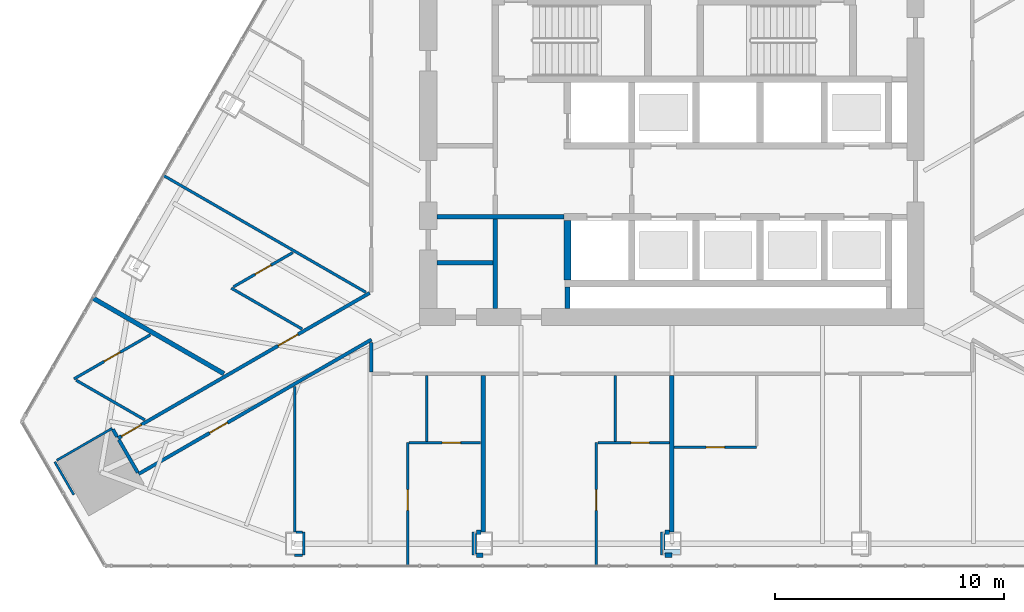
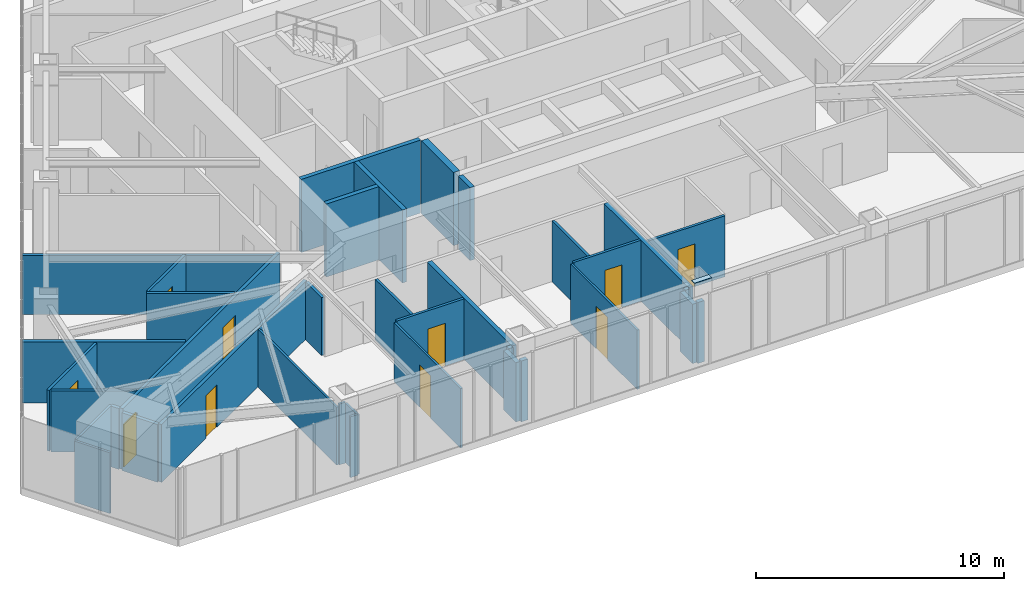
# One storey, part 18 of 24: 37 walls, 10 doors, 1 plate, 10 openings.
"""IFC4 building model written with IfcOpenShell, lengths in metres."""

import ifcopenshell
import ifcopenshell.guid

model = None  # the IFC model being written
_history = None  # IfcOwnerHistory: only IFC2X3 demands one
_inside = {}  # id of a spatial element -> (the spatial element, [elements in it])
_under = {}  # id of a project, library or spatial element -> (it, [spatial elements below it])
_declared = {}  # id of a project -> (the project, [libraries it declares])
_typed = {}  # id of a type object -> (the type object, [elements of that type])
_made_of = {}  # id of a material, layer set ... -> (it, [elements and type objects made of it])


def new_model(schema):
    """Start an empty IFC model of exactly this schema.

    Asked for "IFC4X3", IfcOpenShell would pick the latest addendum, in which some entities
    have other attributes; the version numbers below select the first issue.
    IFC2X3 requires an IfcOwnerHistory on every rooted entity: one is made here for all.
    """
    global model, _history
    if schema == "IFC4X3":
        model = ifcopenshell.file(schema_version=(4, 3, 0, 0))
    else:
        model = ifcopenshell.file(schema=schema)
    _inside.clear()
    _under.clear()
    _declared.clear()
    _typed.clear()
    _made_of.clear()
    _history = None
    if model.schema == "IFC2X3":
        org = make("IfcOrganization", Name="unknown")
        user = make(
            "IfcPersonAndOrganization",
            ThePerson=make("IfcPerson", FamilyName="unknown"),
            TheOrganization=org,
        )
        app = make(
            "IfcApplication",
            ApplicationDeveloper=org,
            Version="unknown",
            ApplicationFullName="unknown",
            ApplicationIdentifier="unknown",
        )
        _history = make(
            "IfcOwnerHistory",
            OwningUser=user,
            OwningApplication=app,
            ChangeAction="ADDED",
            CreationDate=0,
        )
    return model


def make(cls, **values):
    """One entity of the class cls with the attributes given. An attribute that is None is left unset."""
    return model.create_entity(
        cls, **{name: value for name, value in values.items() if value is not None}
    )


def rooted(cls, **values):
    """An entity with a GlobalId (a new one), such as an element, a storey or a relation."""
    return make(cls, GlobalId=ifcopenshell.guid.new(), OwnerHistory=_history, **values)


def si_unit(unit_type, name, prefix=None):
    """IfcSIUnit, for example si_unit("LENGTHUNIT", "METRE", prefix="MILLI")."""
    return make("IfcSIUnit", UnitType=unit_type, Prefix=prefix, Name=name)


def assignment(units):
    """IfcUnitAssignment: the units of a project."""
    return None if units is None else make("IfcUnitAssignment", Units=units)


def point(xyz):
    """IfcCartesianPoint."""
    return None if xyz is None else make("IfcCartesianPoint", Coordinates=xyz)


def direction(xyz):
    """IfcDirection."""
    return None if xyz is None else make("IfcDirection", DirectionRatios=xyz)


def frame(location, z_axis=None, x_axis=None):
    """IfcAxis2Placement3D, a coordinate frame: its origin and axes. An axis left out is left unset."""
    return make(
        "IfcAxis2Placement3D",
        Location=point(location),
        Axis=direction(z_axis),
        RefDirection=direction(x_axis),
    )


def frame_2d(location, x_axis=None):
    """IfcAxis2Placement2D, a coordinate frame in the plane: its origin and x axis."""
    return make(
        "IfcAxis2Placement2D", Location=point(location), RefDirection=direction(x_axis)
    )


def origin():
    """The frame at (0, 0, 0) with its axes left unset."""
    return frame((0.0, 0.0, 0.0))


def place(relative_to, where):
    """IfcLocalPlacement: puts the frame where relative to a parent placement (None: the world)."""
    return make(
        "IfcLocalPlacement", PlacementRelTo=relative_to, RelativePlacement=where
    )


def context(
    kind, dimensions, precision=None, world=None, true_north=None, identifier=None
):
    """IfcGeometricRepresentationContext, for example the 3D "Model" context."""
    return make(
        "IfcGeometricRepresentationContext",
        ContextIdentifier=identifier,
        ContextType=kind,
        CoordinateSpaceDimension=dimensions,
        Precision=precision,
        WorldCoordinateSystem=world,
        TrueNorth=true_north,
    )


def subcontext(parent, identifier, kind, view, scale=None):
    """IfcGeometricRepresentationSubContext, for example "Body" below "Model"."""
    return make(
        "IfcGeometricRepresentationSubContext",
        ContextIdentifier=identifier,
        ContextType=kind,
        ParentContext=parent,
        TargetScale=scale,
        TargetView=view,
    )


def project(units=None, contexts=None):
    """IfcProject with its units and contexts."""
    return rooted(
        "IfcProject",
        Name="project",
        RepresentationContexts=contexts,
        UnitsInContext=assignment(units),
    )


def spatial(cls, under=None, at=None, **own):
    """A site, building, storey or space (cls), placed at a placement, below another one or the project."""
    s = rooted(cls, ObjectPlacement=at, **own)
    if under is not None:
        _under.setdefault(under.id(), (under, []))[1].append(s)
    return s


def polyline(points):
    """IfcPolyline through the points."""
    return make("IfcPolyline", Points=[point(p) for p in points])


def profile(cls, at=None, kind="AREA", **sizes):
    """A parametric profile (cls). Its sizes go by their IFC names, for example OverallWidth=200.0."""
    return make(cls, ProfileType=kind, Position=at, **sizes)


def rectangle(**sizes):
    """IfcRectangleProfileDef."""
    return profile("IfcRectangleProfileDef", **sizes)


def outline(outer, holes=None, kind="AREA"):
    """IfcArbitraryClosedProfileDef: a profile drawn as a closed curve; with holes, ...WithVoids."""
    if holes is None:
        return make("IfcArbitraryClosedProfileDef", ProfileType=kind, OuterCurve=outer)
    return make(
        "IfcArbitraryProfileDefWithVoids",
        ProfileType=kind,
        OuterCurve=outer,
        InnerCurves=holes,
    )


def extrude(swept, where, along, depth):
    """IfcExtrudedAreaSolid: the profile swept, set in the frame where, extruded along a direction by depth."""
    return make(
        "IfcExtrudedAreaSolid",
        SweptArea=swept,
        Position=where,
        ExtrudedDirection=direction(along),
        Depth=depth,
    )


def shape(context_of_items, identifier, shape_type, items):
    """IfcShapeRepresentation: the items that make up one representation, for example the "Body"."""
    return make(
        "IfcShapeRepresentation",
        ContextOfItems=context_of_items,
        RepresentationIdentifier=identifier,
        RepresentationType=shape_type,
        Items=items,
    )


def material(Name=None, Category=None):
    """IfcMaterial."""
    return make("IfcMaterial", Name=Name, Category=Category)


def layer(
    of_material, thickness, ventilated=None, Name=None, Category=None, Priority=None
):
    """IfcMaterialLayer: one layer of a wall or slab, of a material (None: an air gap)."""
    return make(
        "IfcMaterialLayer",
        Material=of_material,
        LayerThickness=thickness,
        IsVentilated=ventilated,
        Name=Name,
        Category=Category,
        Priority=Priority,
    )


def layer_set(layers, Name=None):
    """IfcMaterialLayerSet."""
    return make("IfcMaterialLayerSet", MaterialLayers=layers, LayerSetName=Name)


def made_of(thing, what):
    """Note that an element or type object is made of a material, layer set ...; save() writes the relation."""
    if what is not None:
        _made_of.setdefault(what.id(), (what, []))[1].append(thing)
    return thing


def type_object(cls, material=None, **own):
    """A type object (cls), such as IfcWallType, which elements share."""
    return made_of(rooted(cls, **own), material)


def element(
    cls,
    number,
    at=None,
    inside=None,
    cuts=None,
    type_object=None,
    material=None,
    context=None,
    identifier="Body",
    shape_type=None,
    held_by="IfcProductDefinitionShape",
    body=None,
    shapes=None,
    **own,
):
    """One element of the class cls, such as IfcWall. Its Tag is "e" and its number.

    at: its placement. inside: the storey or other place that contains it. cuts: it is an
    opening in that element (IfcRelVoidsElement). A single representation is given by context,
    identifier, shape_type and body (its items); several are given by shapes. held_by: the class
    of the entity that holds the representations. save() writes the other relations.
    """
    e = rooted(cls, Tag="e%d" % number, ObjectPlacement=at, **own)
    if body is not None:
        shapes = [shape(context, identifier, shape_type, body)]
    if shapes is not None:
        e.Representation = make(held_by, Representations=shapes)
    if inside is not None:
        _inside.setdefault(inside.id(), (inside, []))[1].append(e)
    if cuts is not None:
        rooted(
            "IfcRelVoidsElement", RelatingBuildingElement=cuts, RelatedOpeningElement=e
        )
    if type_object is not None:
        _typed.setdefault(type_object.id(), (type_object, []))[1].append(e)
    return made_of(e, material)


def fill(opening, filler):
    """IfcRelFillsElement: the door or window that sits in an opening."""
    return rooted(
        "IfcRelFillsElement",
        RelatingOpeningElement=opening,
        RelatedBuildingElement=filler,
    )


def aggregate(whole, parts):
    """IfcRelAggregates: a whole, such as a stair, and the parts it consists of."""
    return rooted("IfcRelAggregates", RelatingObject=whole, RelatedObjects=parts)


def save(model, path):
    """Write the relations noted so far, then the file.

    IfcRelAggregates (storeys below a building ...), IfcRelContainedInSpatialStructure (elements
    in a storey), IfcRelDefinesByType, IfcRelAssociatesMaterial and IfcRelDeclares: one each for
    every whole, place, type object, material and project.
    """
    for whole, parts in _under.values():
        aggregate(whole, parts)
    for where, things in _inside.values():
        rooted(
            "IfcRelContainedInSpatialStructure",
            RelatedElements=things,
            RelatingStructure=where,
        )
    for kind, things in _typed.values():
        rooted("IfcRelDefinesByType", RelatedObjects=things, RelatingType=kind)
    for what, things in _made_of.values():
        rooted("IfcRelAssociatesMaterial", RelatedObjects=things, RelatingMaterial=what)
    for by, libraries in _declared.values():
        rooted("IfcRelDeclares", RelatingContext=by, RelatedDefinitions=libraries)
    model.write(path)


model = new_model("IFC4")

# Units and contexts
model_context = context("Model", 3, precision=1e-05, world=origin(), true_north=direction((0.0, 1.0)))
body_context = subcontext(model_context, "Body", "Model", "MODEL_VIEW")
ifc_project = project(units=[si_unit("LENGTHUNIT", "METRE"), si_unit("AREAUNIT", "SQUARE_METRE"), si_unit("VOLUMEUNIT", "CUBIC_METRE"), si_unit("PLANEANGLEUNIT", "RADIAN"), si_unit("MASSUNIT", "GRAM", prefix="KILO")], contexts=[model_context])

# Site, building, storey
site_placement = place(None, origin())
site = spatial("IfcSite", under=ifc_project, at=site_placement, CompositionType="ELEMENT")
building_placement = place(site_placement, origin())
building = spatial("IfcBuilding", under=site, at=building_placement, Name="Firuza Gate Tower and Library", CompositionType="ELEMENT")
storey_placement = place(building_placement, frame((0.0, 0.0, 237.699951171875)))
storey = spatial("IfcBuildingStorey", under=building, at=storey_placement, Name="L56", CompositionType="ELEMENT", Elevation=237.699951171875)

# Plate
ifc_material_1 = material(Name="Steel S355", Category="steel")
ifc_layer_1 = layer(ifc_material_1, 0.030029296875)
ifc_layer_set_1 = layer_set([ifc_layer_1], Name="Column infill plate 30 Steel S355")
plate_type = type_object("IfcPlateType", Name="Column infill plate 30 Steel S355", PredefinedType="SHEET", material=ifc_layer_set_1)
plate_placement = place(storey_placement, frame((0.0, 0.0, 3.900146484375)))
element("IfcPlate", 1, at=plate_placement, inside=storey, type_object=plate_type, Name="Infill plate L56:S3", PredefinedType="SHEET", context=body_context, shape_type="SweptSolid", body=[
    extrude(outline(polyline([(75.39990234375, 56.99609375), (75.39990234375, 57.235107421875), (74.60009765625, 57.235107421875), (74.60009765625, 56.99609375), (75.39990234375, 56.99609375)])), origin(), (0.0, 0.0, 1.0), 0.02978515625),
])

# Walls
ifc_material_2 = material(Name="Plasterboard on steel studs", Category="steel")
ifc_layer_2 = layer(ifc_material_2, 0.199951171875)
ifc_layer_set_2 = layer_set([ifc_layer_2], Name="Core partition 200 EI 120")
wall_type_1 = type_object("IfcWallType", Name="Core partition 200 EI 120", PredefinedType="PARTITIONING", material=ifc_layer_set_2)
wall_1_placement = place(storey_placement, frame((64.75, 71.75, 0.0), z_axis=(0.0, 0.0, 1.0), x_axis=(1.0, 0.0, 0.0)))
element("IfcWall", 2, at=wall_1_placement, inside=storey, type_object=wall_type_1, Name="Core partition L56 2", PredefinedType="PARTITIONING", context=body_context, shape_type="SweptSolid", body=[
    extrude(rectangle(XDim=5.550048828125, YDim=0.199951171875, at=frame_2d((2.77490234375, 0.0))), origin(), (0.0, 0.0, 1.0), 3.60009765625),
])
wall_2_placement = place(storey_placement, frame((67.300048828125, 67.75, 0.0), z_axis=(0.0, 0.0, 1.0), x_axis=(0.0, 1.0, 0.0)))
element("IfcWall", 3, at=wall_2_placement, inside=storey, type_object=wall_type_1, Name="Core partition L56 7", PredefinedType="PARTITIONING", context=body_context, shape_type="SweptSolid", body=[
    extrude(rectangle(XDim=3.89990234375, YDim=0.199951171875, at=frame_2d((1.949951171875, 0.0))), origin(), (0.0, 0.0, 1.0), 3.60009765625),
])
wall_3_placement = place(storey_placement, frame((70.449951171875, 67.75, 0.0), z_axis=(0.0, 0.0, 1.0), x_axis=(0.0, 1.0, 0.0)))
element("IfcWall", 4, at=wall_3_placement, inside=storey, type_object=wall_type_1, Name="Core partition L56 10", PredefinedType="PARTITIONING", context=body_context, shape_type="SweptSolid", body=[
    extrude(rectangle(XDim=0.949951171875, YDim=0.199951171875, at=frame_2d((0.47509765625, 0.0))), origin(), (0.0, 0.0, 1.0), 3.60009765625),
])
ifc_material_3 = material(Name="Plasterboard on steel studs", Category="steel")
ifc_layer_3 = layer(ifc_material_3, 0.199951171875)
ifc_layer_set_3 = layer_set([ifc_layer_3], Name="Core partition 200 EI 60")
wall_type_2 = type_object("IfcWallType", Name="Core partition 200 EI 60", PredefinedType="PARTITIONING", material=ifc_layer_set_3)
wall_4_placement = place(storey_placement, frame((64.75, 69.75, 0.0), z_axis=(0.0, 0.0, 1.0), x_axis=(1.0, 0.0, 0.0)))
element("IfcWall", 5, at=wall_4_placement, inside=storey, type_object=wall_type_2, Name="Core partition L56 1", PredefinedType="PARTITIONING", context=body_context, shape_type="SweptSolid", body=[
    extrude(rectangle(XDim=2.449951171875, YDim=0.199951171875, at=frame_2d((1.22509765625, 0.0))), origin(), (0.0, 0.0, 1.0), 3.60009765625),
])
ifc_material_4 = material(Name="Concrete C80/95", Category="concrete")
ifc_layer_4 = layer(ifc_material_4, 0.300048828125)
ifc_layer_set_4 = layer_set([ifc_layer_4], Name="Core wall 300 C80/95")
wall_type_3 = type_object("IfcWallType", Name="Core wall 300 C80/95", PredefinedType="SHEAR", material=ifc_layer_set_4)
wall_5_placement = place(storey_placement, frame((70.449951171875, 69.0, 0.0), z_axis=(0.0, 0.0, 1.0), x_axis=(0.0, 1.0, 0.0)))
element("IfcWall", 6, at=wall_5_placement, inside=storey, type_object=wall_type_3, Name="Core wall L56 8", PredefinedType="SHEAR", context=body_context, shape_type="SweptSolid", body=[
    extrude(rectangle(XDim=2.60009765625, YDim=0.300048828125, at=frame_2d((1.300048828125, 0.0))), origin(), (0.0, 0.0, 1.0), 3.60009765625),
])

# Wall, opening, door
ifc_material_5 = material(Name="Gypsum board partition")
ifc_layer_5 = layer(ifc_material_5, 0.14990234375)
ifc_layer_set_5 = layer_set([ifc_layer_5], Name="Corridor wall 150 double board on steel studs")
wall_type_4 = type_object("IfcWallType", Name="Corridor wall 150 double board on steel studs", PredefinedType="PARTITIONING", material=ifc_layer_set_5)
wall_6_placement = place(storey_placement, frame((61.89990234375, 66.3974609375, 0.0), z_axis=(0.0, 0.0, 1.0), x_axis=(-0.866028172479, -0.49999520445, 0.0)))
wall_6 = element("IfcWall", 7, at=wall_6_placement, inside=storey, type_object=wall_type_4, Name="f:L56:w025", PredefinedType="PARTITIONING", context=body_context, shape_type="SweptSolid", body=[
    extrude(rectangle(XDim=11.7255859375, YDim=0.14990234375, at=frame_2d((5.86279296875, 0.0))), origin(), (0.0, 0.0, 1.0), 2.84716796875),
])
opening_1_placement = place(wall_6_placement, frame((7.24609375, 0.0, 0.0)))
opening_1 = element("IfcOpeningElement", 8, at=opening_1_placement, cuts=wall_6, Name="Opening L56-16", PredefinedType="OPENING", context=body_context, shape_type="SweptSolid", body=[
    extrude(rectangle(XDim=0.89990234375, YDim=2.10009765625, at=frame_2d((0.449951171875, 1.050048828125))), frame((0.0, 0.0849609375, 0.0), z_axis=(0.0, -1.0, 0.0), x_axis=(1.0, 0.0, 0.0)), (0.0, 0.0, 1.0), 0.169921875),
])
ifc_material_6 = material(Name="Steel door and timber leaf", Category="steel")
door_type_1 = type_object("IfcDoorType", Name="Fire door 900 x 2100 steel frame, timber leaf", OperationType="NOTDEFINED", PredefinedType="DOOR", material=ifc_material_6)
door_1_placement = place(opening_1_placement, origin())
door_1 = element("IfcDoor", 9, at=door_1_placement, inside=storey, type_object=door_type_1, Name="f:L56:d016", OperationType="SINGLE_SWING_RIGHT", OverallHeight=2.10009765625, OverallWidth=0.89990234375, PredefinedType="DOOR", context=body_context, shape_type="SweptSolid", body=[
    extrude(rectangle(XDim=0.89990234375, YDim=2.10009765625, at=frame_2d((0.449951171875, 1.050048828125))), frame((0.0, 0.02490234375, 0.0), z_axis=(0.0, -1.0, 0.0), x_axis=(1.0, 0.0, 0.0)), (0.0, 0.0, 1.0), 0.050048828125),
])
fill(opening_1, door_1)

# Wall, openings, doors
wall_7_placement = place(storey_placement, frame((50.844482421875, 62.09326171875, 0.0), z_axis=(0.0, 0.0, 1.0), x_axis=(0.866032955338, 0.499986920098, 0.0)))
wall_7 = element("IfcWall", 10, at=wall_7_placement, inside=storey, type_object=wall_type_4, Name="f:L56:w026", PredefinedType="PARTITIONING", context=body_context, shape_type="SweptSolid", body=[
    extrude(rectangle(XDim=12.678955078125, YDim=0.14990234375, at=frame_2d((6.33935546875, 0.0))), origin(), (0.0, 0.0, 1.0), 3.0),
])
opening_2_placement = place(wall_7_placement, frame((0.174560546875, 0.0, 0.0)))
opening_2 = element("IfcOpeningElement", 11, at=opening_2_placement, cuts=wall_7, Name="Opening L56-17", PredefinedType="OPENING", context=body_context, shape_type="SweptSolid", body=[
    extrude(rectangle(XDim=1.0, YDim=2.10009765625, at=frame_2d((0.5, 1.050048828125))), frame((0.0, 0.0849609375, 0.0), z_axis=(0.0, -1.0, 0.0), x_axis=(1.0, 0.0, 0.0)), (0.0, 0.0, 1.0), 0.169921875),
])
opening_3_placement = place(wall_7_placement, frame((8.062744140625, 0.0, 0.0)))
opening_3 = element("IfcOpeningElement", 12, at=opening_3_placement, cuts=wall_7, Name="Opening L56-18", PredefinedType="OPENING", context=body_context, shape_type="SweptSolid", body=[
    extrude(rectangle(XDim=1.0, YDim=2.10009765625, at=frame_2d((0.5, 1.050048828125))), frame((0.0, 0.0849609375, 0.0), z_axis=(0.0, -1.0, 0.0), x_axis=(1.0, 0.0, 0.0)), (0.0, 0.0, 1.0), 0.169921875),
])
ifc_material_7 = material(Name="Steel door and timber leaf", Category="steel")
door_type_2 = type_object("IfcDoorType", Name="Fire door 1000 x 2100 steel frame, timber leaf", OperationType="NOTDEFINED", PredefinedType="DOOR", material=ifc_material_7)
door_2_placement = place(opening_2_placement, origin())
door_2 = element("IfcDoor", 13, at=door_2_placement, inside=storey, type_object=door_type_2, Name="f:L56:d017", OperationType="SINGLE_SWING_LEFT", OverallHeight=2.10009765625, OverallWidth=1.0, PredefinedType="DOOR", context=body_context, shape_type="SweptSolid", body=[
    extrude(rectangle(XDim=1.0, YDim=2.10009765625, at=frame_2d((0.5, 1.050048828125))), frame((0.0, 0.02490234375, 0.0), z_axis=(0.0, -1.0, 0.0), x_axis=(1.0, 0.0, 0.0)), (0.0, 0.0, 1.0), 0.050048828125),
])
fill(opening_2, door_2)
door_3_placement = place(opening_3_placement, origin())
door_3 = element("IfcDoor", 14, at=door_3_placement, inside=storey, type_object=door_type_2, Name="f:L56:d018", OperationType="SINGLE_SWING_LEFT", OverallHeight=2.10009765625, OverallWidth=1.0, PredefinedType="DOOR", context=body_context, shape_type="SweptSolid", body=[
    extrude(rectangle(XDim=1.0, YDim=2.10009765625, at=frame_2d((0.5, 1.050048828125))), frame((0.0, 0.02490234375, 0.0), z_axis=(0.0, -1.0, 0.0), x_axis=(1.0, 0.0, 0.0)), (0.0, 0.0, 1.0), 0.050048828125),
])
fill(opening_3, door_3)

# Walls
wall_8_placement = place(storey_placement, frame((61.89990234375, 64.97509765625, 0.0), z_axis=(0.0, 0.0, 1.0), x_axis=(0.0, 1.0, 0.0)))
element("IfcWall", 15, at=wall_8_placement, inside=storey, type_object=wall_type_4, Name="f:L56:w065", PredefinedType="PARTITIONING", context=body_context, shape_type="SweptSolid", body=[
    extrude(rectangle(XDim=1.285888671875, YDim=0.14990234375, at=frame_2d((0.64306640625, 0.0))), origin(), (0.0, 0.0, 1.0), 2.84716796875),
])
wall_9_placement = place(storey_placement, frame((51.70654296875, 60.599609375, 0.0), z_axis=(0.0, 0.0, 1.0), x_axis=(-0.499991515992, 0.866030301974, 0.0)))
element("IfcWall", 16, at=wall_9_placement, inside=storey, type_object=wall_type_4, Name="f:L56:w071", PredefinedType="PARTITIONING", context=body_context, shape_type="SweptSolid", body=[
    extrude(rectangle(XDim=1.6494140625, YDim=0.14990234375, at=frame_2d((0.82470703125, 0.0))), origin(), (0.0, 0.0, 1.0), 2.84716796875),
])
wall_10_placement = place(storey_placement, frame((50.806884765625, 62.157958984375, 0.0), z_axis=(0.0, 0.0, 1.0), x_axis=(-0.500060622324, 0.86599040064, 0.0)))
element("IfcWall", 17, at=wall_10_placement, inside=storey, type_object=wall_type_4, Name="f:L56:w096", PredefinedType="PARTITIONING", context=body_context, shape_type="SweptSolid", body=[
    extrude(rectangle(XDim=0.375, YDim=0.14990234375, at=frame_2d((0.1875, 0.0))), origin(), (0.0, 0.0, 1.0), 3.0),
])
ifc_material_8 = material(Name="Gypsum board partition")
ifc_layer_6 = layer(ifc_material_8, 0.199951171875)
ifc_layer_set_6 = layer_set([ifc_layer_6], Name="Demising wall 200 acoustic double stud")
wall_type_5 = type_object("IfcWallType", Name="Demising wall 200 acoustic double stud", PredefinedType="PARTITIONING", material=ifc_layer_set_6)
for number, where, z_axis, x_axis, name in (
    (18, (66.474853515625, 56.99609375, 0.0), (0.0, 0.0, 1.0), (1.0, 0.0, 0.0), "f:L56:w001"),
    (19, (74.700439453125, 56.99609375, 0.0), (0.0, 0.0, 1.0), (1.0, 0.0, 0.0), "f:L56:w002"),
):
    element("IfcWall", number, at=place(storey_placement, frame(where, z_axis=z_axis, x_axis=x_axis)), inside=storey, type_object=wall_type_5, Name=name, PredefinedType="PARTITIONING", context=body_context, shape_type="SweptSolid", body=[
        extrude(rectangle(XDim=0.299072265625, YDim=0.199951171875, at=frame_2d((0.1494140625, 0.0))), origin(), (0.0, 0.0, 1.0), 3.0),
    ])
wall_11_placement = place(storey_placement, frame((66.474853515625, 57.99609375, 0.0), z_axis=(0.0, 0.0, 1.0), x_axis=(1.0, 0.0, 0.0)))
element("IfcWall", 20, at=wall_11_placement, inside=storey, type_object=wall_type_5, Name="f:L56:w005", PredefinedType="PARTITIONING", context=body_context, shape_type="SweptSolid", body=[
    extrude(rectangle(XDim=0.19921875, YDim=0.199951171875, at=frame_2d((0.099609375, 0.0))), origin(), (0.0, 0.0, 1.0), 3.0),
])
wall_12_placement = place(storey_placement, frame((74.700439453125, 57.99609375, 0.0), z_axis=(0.0, 0.0, 1.0), x_axis=(1.0, 0.0, 0.0)))
element("IfcWall", 21, at=wall_12_placement, inside=storey, type_object=wall_type_5, Name="f:L56:w006", PredefinedType="PARTITIONING", context=body_context, shape_type="SweptSolid", body=[
    extrude(rectangle(XDim=0.198974609375, YDim=0.199951171875, at=frame_2d((0.099609375, 0.0))), origin(), (0.0, 0.0, 1.0), 3.0),
])
wall_13_placement = place(storey_placement, frame((75.0, 57.99658203125, 0.0), z_axis=(0.0, 0.0, 1.0), x_axis=(0.0, 1.0, 0.0)))
element("IfcWall", 22, at=wall_13_placement, inside=storey, type_object=wall_type_5, Name="f:L56:w050", PredefinedType="PARTITIONING", context=body_context, shape_type="SweptSolid", body=[
    extrude(rectangle(XDim=6.828369140625, YDim=0.199951171875, at=frame_2d((3.4140625, 0.0))), origin(), (0.0, 0.0, 1.0), 3.0),
])
wall_14_placement = place(storey_placement, frame((74.60009765625, 56.99658203125, 0.0), z_axis=(0.0, 0.0, 1.0), x_axis=(0.0, 1.0, 0.0)))
element("IfcWall", 23, at=wall_14_placement, inside=storey, type_object=wall_type_5, Name="f:L56:w051", PredefinedType="PARTITIONING", context=body_context, shape_type="SweptSolid", body=[
    extrude(rectangle(XDim=0.9990234375, YDim=0.199951171875, at=frame_2d((0.49951171875, 0.0))), origin(), (0.0, 0.0, 1.0), 2.922119140625),
])
wall_15_placement = place(storey_placement, frame((66.77392578125, 57.99658203125, 0.0), z_axis=(0.0, 0.0, 1.0), x_axis=(0.0, 1.0, 0.0)))
element("IfcWall", 24, at=wall_15_placement, inside=storey, type_object=wall_type_5, Name="f:L56:w058", PredefinedType="PARTITIONING", context=body_context, shape_type="SweptSolid", body=[
    extrude(rectangle(XDim=6.828369140625, YDim=0.199951171875, at=frame_2d((3.4140625, 0.0))), origin(), (0.0, 0.0, 1.0), 3.0),
])
wall_16_placement = place(storey_placement, frame((66.3740234375, 56.99658203125, 0.0), z_axis=(0.0, 0.0, 1.0), x_axis=(0.0, 1.0, 0.0)))
element("IfcWall", 25, at=wall_16_placement, inside=storey, type_object=wall_type_5, Name="f:L56:w061", PredefinedType="PARTITIONING", context=body_context, shape_type="SweptSolid", body=[
    extrude(rectangle(XDim=0.9990234375, YDim=0.199951171875, at=frame_2d((0.49951171875, 0.0))), origin(), (0.0, 0.0, 1.0), 2.922119140625),
])
wall_17_placement = place(storey_placement, frame((55.46533203125, 64.9072265625, 0.0), z_axis=(0.0, 0.0, 1.0), x_axis=(-0.866024015056, 0.50000240534, 0.0)))
element("IfcWall", 26, at=wall_17_placement, inside=storey, type_object=wall_type_5, Name="f:L56:w093", PredefinedType="PARTITIONING", context=body_context, shape_type="SweptSolid", body=[
    extrude(rectangle(XDim=6.5927734375, YDim=0.199951171875, at=frame_2d((3.29638671875, 0.0))), origin(), (0.0, 0.0, 1.0), 3.0),
])
ifc_material_9 = material(Name="Gypsum board partition")
ifc_layer_7 = layer(ifc_material_9, 0.10009765625)
ifc_layer_set_7 = layer_set([ifc_layer_7], Name="Partition 100 gypsum board on steel studs")
wall_type_6 = type_object("IfcWallType", Name="Partition 100 gypsum board on steel studs", PredefinedType="PARTITIONING", material=ifc_layer_set_7)
wall_18_placement = place(storey_placement, frame((58.548828125, 56.99609375, 0.0), z_axis=(0.0, 0.0, 1.0), x_axis=(1.0, 0.0, 0.0)))
element("IfcWall", 27, at=wall_18_placement, inside=storey, type_object=wall_type_6, Name="f:L56:w000", PredefinedType="PARTITIONING", context=body_context, shape_type="SweptSolid", body=[
    extrude(rectangle(XDim=0.35009765625, YDim=0.10009765625, at=frame_2d((0.175048828125, 0.0))), origin(), (0.0, 0.0, 1.0), 3.0),
])
wall_19_placement = place(storey_placement, frame((58.60888671875, 57.99609375, 0.0), z_axis=(0.0, 0.0, 1.0), x_axis=(1.0, 0.0, 0.0)))
element("IfcWall", 28, at=wall_19_placement, inside=storey, type_object=wall_type_6, Name="f:L56:w004", PredefinedType="PARTITIONING", context=body_context, shape_type="SweptSolid", body=[
    extrude(rectangle(XDim=0.2900390625, YDim=0.10009765625, at=frame_2d((0.14501953125, 0.0))), origin(), (0.0, 0.0, 1.0), 3.0),
])
wall_20_placement = place(storey_placement, frame((48.169677734375, 61.126220703125, 0.0), z_axis=(0.0, 0.0, 1.0), x_axis=(0.866034573852, 0.49998411664, 0.0)))
element("IfcWall", 29, at=wall_20_placement, inside=storey, type_object=wall_type_6, Name="f:L56:w027", PredefinedType="PARTITIONING", context=body_context, shape_type="SweptSolid", body=[
    extrude(rectangle(XDim=2.7998046875, YDim=0.10009765625, at=frame_2d((1.39990234375, 0.0))), origin(), (0.0, 0.0, 1.0), 3.0),
])

# Wall, opening, door
wall_21_placement = place(storey_placement, frame((71.7099609375, 61.89990234375, 0.0), z_axis=(0.0, 0.0, 1.0), x_axis=(0.0, -1.0, 0.0)))
wall_21 = element("IfcWall", 30, at=wall_21_placement, inside=storey, type_object=wall_type_6, Name="f:L56:w054", PredefinedType="PARTITIONING", context=body_context, shape_type="SweptSolid", body=[
    extrude(rectangle(XDim=5.36376953125, YDim=0.10009765625, at=frame_2d((2.681884765625, 0.0))), origin(), (0.0, 0.0, 1.0), 2.922119140625),
])
opening_4_placement = place(wall_21_placement, frame((2.052001953125, 0.0, 0.0)))
opening_4 = element("IfcOpeningElement", 31, at=opening_4_placement, cuts=wall_21, Name="Opening L56-27", PredefinedType="OPENING", context=body_context, shape_type="SweptSolid", body=[
    extrude(rectangle(XDim=0.89990234375, YDim=2.10009765625, at=frame_2d((0.449951171875, 1.050048828125))), frame((0.0, 0.06005859375, 0.0), z_axis=(0.0, -1.0, 0.0), x_axis=(1.0, 0.0, 0.0)), (0.0, 0.0, 1.0), 0.1201171875),
])
ifc_material_10 = material(Name="Timber door", Category="wood")
door_type_3 = type_object("IfcDoorType", Name="Door 900 x 2100 timber leaf", OperationType="NOTDEFINED", PredefinedType="DOOR", material=ifc_material_10)
door_4_placement = place(opening_4_placement, origin())
door_4 = element("IfcDoor", 32, at=door_4_placement, inside=storey, type_object=door_type_3, Name="f:L56:d027", OperationType="SINGLE_SWING_LEFT", OverallHeight=2.10009765625, OverallWidth=0.89990234375, PredefinedType="DOOR", context=body_context, shape_type="SweptSolid", body=[
    extrude(rectangle(XDim=0.89990234375, YDim=2.10009765625, at=frame_2d((0.449951171875, 1.050048828125))), frame((0.0, 0.02490234375, 0.0), z_axis=(0.0, -1.0, 0.0), x_axis=(1.0, 0.0, 0.0)), (0.0, 0.0, 1.0), 0.050048828125),
])
fill(opening_4, door_4)

wall_22_placement = place(storey_placement, frame((63.48388671875, 61.89990234375, 0.0), z_axis=(0.0, 0.0, 1.0), x_axis=(0.0, -1.0, 0.0)))
wall_22 = element("IfcWall", 33, at=wall_22_placement, inside=storey, type_object=wall_type_6, Name="f:L56:w064", PredefinedType="PARTITIONING", context=body_context, shape_type="SweptSolid", body=[
    extrude(rectangle(XDim=5.36376953125, YDim=0.10009765625, at=frame_2d((2.681884765625, 0.0))), origin(), (0.0, 0.0, 1.0), 2.922119140625),
])
opening_5_placement = place(wall_22_placement, frame((2.052001953125, 0.0, 0.0)))
opening_5 = element("IfcOpeningElement", 34, at=opening_5_placement, cuts=wall_22, Name="Opening L56-31", PredefinedType="OPENING", context=body_context, shape_type="SweptSolid", body=[
    extrude(rectangle(XDim=0.89990234375, YDim=2.10009765625, at=frame_2d((0.449951171875, 1.050048828125))), frame((0.0, 0.06005859375, 0.0), z_axis=(0.0, -1.0, 0.0), x_axis=(1.0, 0.0, 0.0)), (0.0, 0.0, 1.0), 0.1201171875),
])
door_5_placement = place(opening_5_placement, origin())
door_5 = element("IfcDoor", 35, at=door_5_placement, inside=storey, type_object=door_type_3, Name="f:L56:d031", OperationType="SINGLE_SWING_RIGHT", OverallHeight=2.10009765625, OverallWidth=0.89990234375, PredefinedType="DOOR", context=body_context, shape_type="SweptSolid", body=[
    extrude(rectangle(XDim=0.89990234375, YDim=2.10009765625, at=frame_2d((0.449951171875, 1.050048828125))), frame((0.0, 0.02490234375, 0.0), z_axis=(0.0, -1.0, 0.0), x_axis=(1.0, 0.0, 0.0)), (0.0, 0.0, 1.0), 0.050048828125),
])
fill(opening_5, door_5)

# Walls
wall_23_placement = place(storey_placement, frame((58.948974609375, 56.99609375, 0.0), z_axis=(0.0, 0.0, 1.0), x_axis=(0.0, 1.0, 0.0)))
element("IfcWall", 36, at=wall_23_placement, inside=storey, type_object=wall_type_6, Name="f:L56:w067", PredefinedType="PARTITIONING", context=body_context, shape_type="SweptSolid", body=[
    extrude(rectangle(XDim=1.0, YDim=0.10009765625, at=frame_2d((0.5, 0.0))), origin(), (0.0, 0.0, 1.0), 2.922119140625),
])
wall_24_placement = place(storey_placement, frame((58.549072265625, 57.99609375, 0.0), z_axis=(0.0, 0.0, 1.0), x_axis=(0.0, 1.0, 0.0)))
element("IfcWall", 37, at=wall_24_placement, inside=storey, type_object=wall_type_6, Name="f:L56:w069", PredefinedType="PARTITIONING", context=body_context, shape_type="SweptSolid", body=[
    extrude(rectangle(XDim=6.35009765625, YDim=0.10009765625, at=frame_2d((3.175048828125, 0.0))), origin(), (0.0, 0.0, 1.0), 2.84716796875),
])
wall_25_placement = place(storey_placement, frame((48.91796875, 59.629638671875, 0.0), z_axis=(0.0, 0.0, 1.0), x_axis=(-0.500029155639, 0.866008570114, 0.0)))
element("IfcWall", 38, at=wall_25_placement, inside=storey, type_object=wall_type_6, Name="f:L56:w072", PredefinedType="PARTITIONING", context=body_context, shape_type="SweptSolid", body=[
    extrude(rectangle(XDim=1.65380859375, YDim=0.10009765625, at=frame_2d((0.826904296875, 0.0))), origin(), (0.0, 0.0, 1.0), 3.0),
])

# Wall, opening, door
ifc_material_11 = material(Name="Gypsum board partition")
ifc_layer_8 = layer(ifc_material_11, 0.1201171875)
ifc_layer_set_8 = layer_set([ifc_layer_8], Name="Wet-area partition 120 moisture-resistant board")
wall_type_7 = type_object("IfcWallType", Name="Wet-area partition 120 moisture-resistant board", PredefinedType="PARTITIONING", material=ifc_layer_set_8)
wall_26_placement = place(storey_placement, frame((75.10009765625, 61.699951171875, 0.0), z_axis=(0.0, 0.0, 1.0), x_axis=(1.0, 0.0, 0.0)))
wall_26 = element("IfcWall", 39, at=wall_26_placement, inside=storey, type_object=wall_type_7, Name="f:L56:w008", PredefinedType="PARTITIONING", context=body_context, shape_type="SweptSolid", body=[
    extrude(rectangle(XDim=3.601318359375, YDim=0.1201171875, at=frame_2d((1.80078125, 0.0))), origin(), (0.0, 0.0, 1.0), 3.0),
])
opening_6_placement = place(wall_26_placement, frame((1.400634765625, 0.0, 0.0)))
opening_6 = element("IfcOpeningElement", 40, at=opening_6_placement, cuts=wall_26, Name="Opening L56-01", PredefinedType="OPENING", context=body_context, shape_type="SweptSolid", body=[
    extrude(rectangle(XDim=0.800048828125, YDim=2.10009765625, at=frame_2d((0.39990234375, 1.050048828125))), frame((0.0, 0.070068359375, 0.0), z_axis=(0.0, -1.0, 0.0), x_axis=(1.0, 0.0, 0.0)), (0.0, 0.0, 1.0), 0.14013671875),
])
ifc_material_12 = material(Name="Timber door", Category="wood")
door_type_4 = type_object("IfcDoorType", Name="Door 800 x 2100 timber leaf", OperationType="NOTDEFINED", PredefinedType="DOOR", material=ifc_material_12)
door_6_placement = place(opening_6_placement, origin())
door_6 = element("IfcDoor", 41, at=door_6_placement, inside=storey, type_object=door_type_4, Name="f:L56:d001", OperationType="SINGLE_SWING_LEFT", OverallHeight=2.10009765625, OverallWidth=0.800048828125, PredefinedType="DOOR", context=body_context, shape_type="SweptSolid", body=[
    extrude(rectangle(XDim=0.800048828125, YDim=2.10009765625, at=frame_2d((0.39990234375, 1.050048828125))), frame((0.0, 0.02490234375, 0.0), z_axis=(0.0, -1.0, 0.0), x_axis=(1.0, 0.0, 0.0)), (0.0, 0.0, 1.0), 0.050048828125),
])
fill(opening_6, door_6)

wall_27_placement = place(storey_placement, frame((63.5341796875, 61.89990234375, 0.0), z_axis=(0.0, 0.0, 1.0), x_axis=(1.0, 0.0, 0.0)))
wall_27 = element("IfcWall", 42, at=wall_27_placement, inside=storey, type_object=wall_type_7, Name="f:L56:w009", PredefinedType="PARTITIONING", context=body_context, shape_type="SweptSolid", body=[
    extrude(rectangle(XDim=3.13037109375, YDim=0.1201171875, at=frame_2d((1.565185546875, 0.0))), origin(), (0.0, 0.0, 1.0), 3.0),
])
opening_7_placement = place(wall_27_placement, frame((1.451416015625, 0.0, 0.0)))
opening_7 = element("IfcOpeningElement", 43, at=opening_7_placement, cuts=wall_27, Name="Opening L56-02", PredefinedType="OPENING", context=body_context, shape_type="SweptSolid", body=[
    extrude(rectangle(XDim=0.800048828125, YDim=2.10009765625, at=frame_2d((0.39990234375, 1.050048828125))), frame((0.0, 0.070068359375, 0.0), z_axis=(0.0, -1.0, 0.0), x_axis=(1.0, 0.0, 0.0)), (0.0, 0.0, 1.0), 0.14013671875),
])
door_7_placement = place(opening_7_placement, origin())
door_7 = element("IfcDoor", 44, at=door_7_placement, inside=storey, type_object=door_type_4, Name="f:L56:d002", OperationType="SINGLE_SWING_RIGHT", OverallHeight=2.10009765625, OverallWidth=0.800048828125, PredefinedType="DOOR", context=body_context, shape_type="SweptSolid", body=[
    extrude(rectangle(XDim=0.800048828125, YDim=2.10009765625, at=frame_2d((0.39990234375, 1.050048828125))), frame((0.0, 0.02490234375, 0.0), z_axis=(0.0, -1.0, 0.0), x_axis=(1.0, 0.0, 0.0)), (0.0, 0.0, 1.0), 0.050048828125),
])
fill(opening_7, door_7)

wall_28_placement = place(storey_placement, frame((71.769775390625, 61.89990234375, 0.0), z_axis=(0.0, 0.0, 1.0), x_axis=(1.0, 0.0, 0.0)))
wall_28 = element("IfcWall", 45, at=wall_28_placement, inside=storey, type_object=wall_type_7, Name="f:L56:w010", PredefinedType="PARTITIONING", context=body_context, shape_type="SweptSolid", body=[
    extrude(rectangle(XDim=3.130126953125, YDim=0.1201171875, at=frame_2d((1.56494140625, 0.0))), origin(), (0.0, 0.0, 1.0), 3.0),
])
opening_8_placement = place(wall_28_placement, frame((1.4462890625, 0.0, 0.0)))
opening_8 = element("IfcOpeningElement", 46, at=opening_8_placement, cuts=wall_28, Name="Opening L56-03", PredefinedType="OPENING", context=body_context, shape_type="SweptSolid", body=[
    extrude(rectangle(XDim=0.800048828125, YDim=2.10009765625, at=frame_2d((0.39990234375, 1.050048828125))), frame((0.0, 0.070068359375, 0.0), z_axis=(0.0, -1.0, 0.0), x_axis=(1.0, 0.0, 0.0)), (0.0, 0.0, 1.0), 0.14013671875),
])
door_8_placement = place(opening_8_placement, origin())
door_8 = element("IfcDoor", 47, at=door_8_placement, inside=storey, type_object=door_type_4, Name="f:L56:d003", OperationType="SINGLE_SWING_LEFT", OverallHeight=2.10009765625, OverallWidth=0.800048828125, PredefinedType="DOOR", context=body_context, shape_type="SweptSolid", body=[
    extrude(rectangle(XDim=0.800048828125, YDim=2.10009765625, at=frame_2d((0.39990234375, 1.050048828125))), frame((0.0, 0.02490234375, 0.0), z_axis=(0.0, -1.0, 0.0), x_axis=(1.0, 0.0, 0.0)), (0.0, 0.0, 1.0), 0.050048828125),
])
fill(opening_8, door_8)

wall_29_placement = place(storey_placement, frame((52.2578125, 66.604248046875, 0.0), z_axis=(0.0, 0.0, 1.0), x_axis=(-0.86601030197, -0.500026156197, 0.0)))
wall_29 = element("IfcWall", 48, at=wall_29_placement, inside=storey, type_object=wall_type_7, Name="f:L56:w028", PredefinedType="PARTITIONING", context=body_context, shape_type="SweptSolid", body=[
    extrude(rectangle(XDim=3.850341796875, YDim=0.1201171875, at=frame_2d((1.92529296875, 0.0))), origin(), (0.0, 0.0, 1.0), 3.0),
])
opening_9_placement = place(wall_29_placement, frame((1.525146484375, 0.0, 0.0)))
opening_9 = element("IfcOpeningElement", 49, at=opening_9_placement, cuts=wall_29, Name="Opening L56-19", PredefinedType="OPENING", context=body_context, shape_type="SweptSolid", body=[
    extrude(rectangle(XDim=0.800048828125, YDim=2.10009765625, at=frame_2d((0.39990234375, 1.050048828125))), frame((0.0, 0.070068359375, 0.0), z_axis=(0.0, -1.0, 0.0), x_axis=(1.0, 0.0, 0.0)), (0.0, 0.0, 1.0), 0.14013671875),
])
door_9_placement = place(opening_9_placement, origin())
door_9 = element("IfcDoor", 50, at=door_9_placement, inside=storey, type_object=door_type_4, Name="f:L56:d019", OperationType="SINGLE_SWING_LEFT", OverallHeight=2.10009765625, OverallWidth=0.800048828125, PredefinedType="DOOR", context=body_context, shape_type="SweptSolid", body=[
    extrude(rectangle(XDim=0.800048828125, YDim=2.10009765625, at=frame_2d((0.39990234375, 1.050048828125))), frame((0.0, 0.02490234375, 0.0), z_axis=(0.0, -1.0, 0.0), x_axis=(1.0, 0.0, 0.0)), (0.0, 0.0, 1.0), 0.050048828125),
])
fill(opening_9, door_9)

wall_30_placement = place(storey_placement, frame((58.467041015625, 70.18896484375, 0.0), z_axis=(0.0, 0.0, 1.0), x_axis=(-0.86604676013, -0.4999630079, 0.0)))
wall_30 = element("IfcWall", 51, at=wall_30_placement, inside=storey, type_object=wall_type_7, Name="f:L56:w029", PredefinedType="PARTITIONING", context=body_context, shape_type="SweptSolid", body=[
    extrude(rectangle(XDim=2.987060546875, YDim=0.1201171875, at=frame_2d((1.49365234375, 0.0))), origin(), (0.0, 0.0, 1.0), 3.0),
])
opening_10_placement = place(wall_30_placement, frame((1.093505859375, 0.0, 0.0)))
opening_10 = element("IfcOpeningElement", 52, at=opening_10_placement, cuts=wall_30, Name="Opening L56-20", PredefinedType="OPENING", context=body_context, shape_type="SweptSolid", body=[
    extrude(rectangle(XDim=0.800048828125, YDim=2.10009765625, at=frame_2d((0.39990234375, 1.050048828125))), frame((0.0, 0.070068359375, 0.0), z_axis=(0.0, -1.0, 0.0), x_axis=(1.0, 0.0, 0.0)), (0.0, 0.0, 1.0), 0.14013671875),
])
door_10_placement = place(opening_10_placement, origin())
door_10 = element("IfcDoor", 53, at=door_10_placement, inside=storey, type_object=door_type_4, Name="f:L56:d020", OperationType="SINGLE_SWING_LEFT", OverallHeight=2.10009765625, OverallWidth=0.800048828125, PredefinedType="DOOR", context=body_context, shape_type="SweptSolid", body=[
    extrude(rectangle(XDim=0.800048828125, YDim=2.10009765625, at=frame_2d((0.39990234375, 1.050048828125))), frame((0.0, 0.02490234375, 0.0), z_axis=(0.0, -1.0, 0.0), x_axis=(1.0, 0.0, 0.0)), (0.0, 0.0, 1.0), 0.050048828125),
])
fill(opening_10, door_10)

# Walls
for number, where, z_axis, x_axis, name in (
    (54, (72.531982421875, 61.9599609375, 0.0), (0.0, 0.0, 1.0), (0.0, 1.0, 0.0), "f:L56:w053"),
    (55, (64.306884765625, 61.9599609375, 0.0), (0.0, 0.0, 1.0), (0.0, 1.0, 0.0), "f:L56:w063"),
):
    element("IfcWall", number, at=place(storey_placement, frame(where, z_axis=z_axis, x_axis=x_axis)), inside=storey, type_object=wall_type_7, Name=name, PredefinedType="PARTITIONING", context=body_context, shape_type="SweptSolid", body=[
        extrude(rectangle(XDim=2.864990234375, YDim=0.1201171875, at=frame_2d((1.4326171875, 0.0))), origin(), (0.0, 0.0, 1.0), 3.0),
    ])
wall_31_placement = place(storey_placement, frame((61.65234375, 68.459716796875, 0.0), z_axis=(0.0, 0.0, 1.0), x_axis=(-0.866022556011, 0.500004932455, 0.0)))
element("IfcWall", 56, at=wall_31_placement, inside=storey, type_object=wall_type_7, Name="f:L56:w091", PredefinedType="PARTITIONING", context=body_context, shape_type="SweptSolid", body=[
    extrude(rectangle(XDim=10.1748046875, YDim=0.1201171875, at=frame_2d((5.08740234375, 0.0))), origin(), (0.0, 0.0, 1.0), 2.922119140625),
])
wall_32_placement = place(storey_placement, frame((58.875732421875, 66.856201171875, 0.0), z_axis=(0.0, 0.0, 1.0), x_axis=(-0.866028357664, 0.499994883695, 0.0)))
element("IfcWall", 57, at=wall_32_placement, inside=storey, type_object=wall_type_7, Name="f:L56:w092", PredefinedType="PARTITIONING", context=body_context, shape_type="SweptSolid", body=[
    extrude(rectangle(XDim=3.568359375, YDim=0.1201171875, at=frame_2d((1.7841796875, 0.0))), origin(), (0.0, 0.0, 1.0), 3.0),
])
wall_33_placement = place(storey_placement, frame((52.013671875, 62.89453125, 0.0), z_axis=(0.0, 0.0, 1.0), x_axis=(-0.866045730533, 0.499964791386, 0.0)))
element("IfcWall", 58, at=wall_33_placement, inside=storey, type_object=wall_type_7, Name="f:L56:w094", PredefinedType="PARTITIONING", context=body_context, shape_type="SweptSolid", body=[
    extrude(rectangle(XDim=3.459228515625, YDim=0.1201171875, at=frame_2d((1.7294921875, 0.0))), origin(), (0.0, 0.0, 1.0), 3.0),
])

save(model, "model.ifc")
